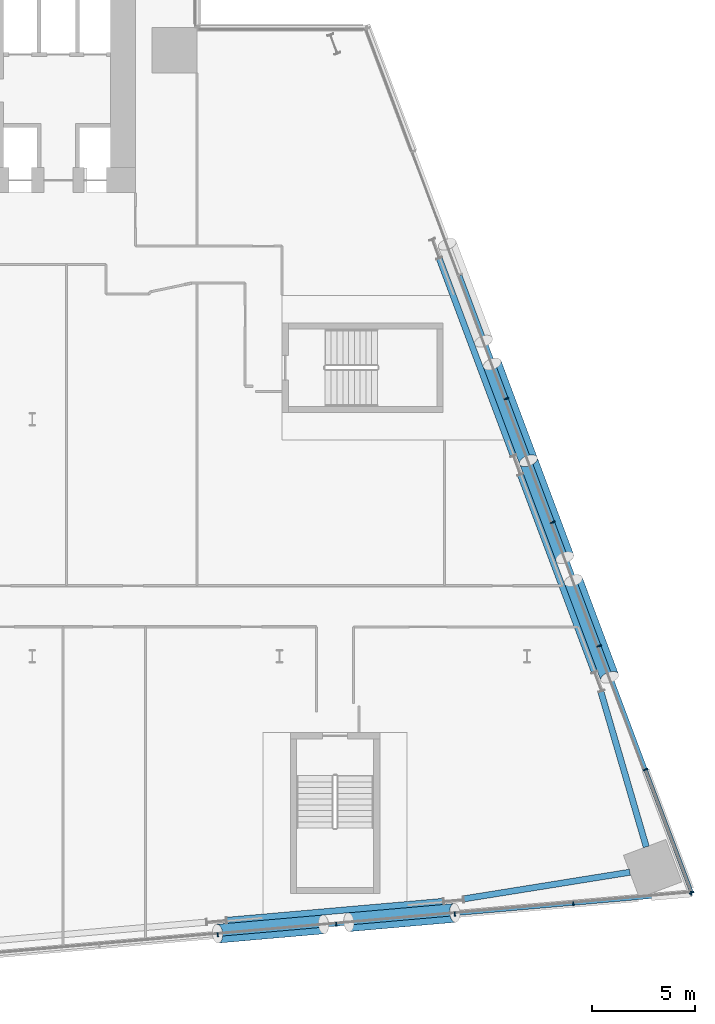
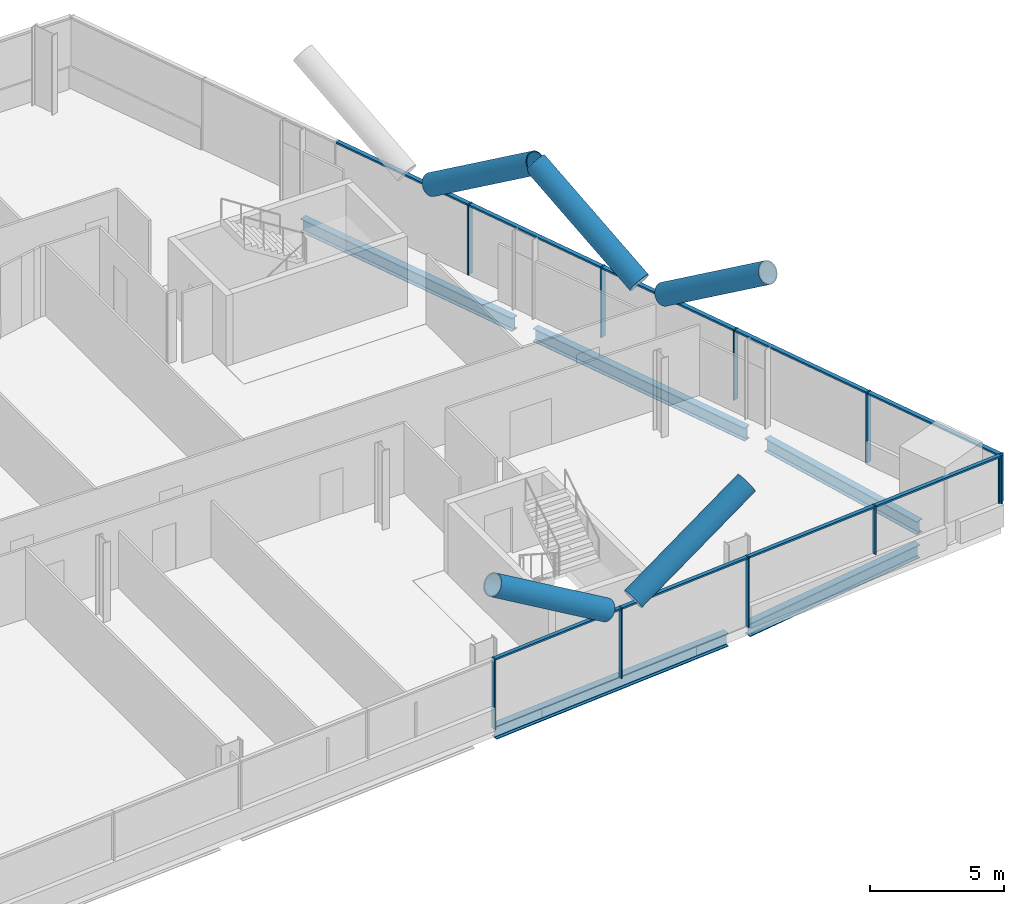
# One storey, part 9 of 27: 24 members, 5 beams, 2 elements without a shape of their own.
"""IFC4 building model written with IfcOpenShell, lengths in metres."""

from ifc_helpers import new_model, si_unit, direction, frame, origin, origin_2d, place, context, subcontext, project, spatial, rectangle, hollow_circle, i_section, extrude, material, material_profile, profile_set, type_object, element, aggregate, save


model = new_model("IFC4")

# Units and contexts
model_context = context("Model", 3, precision=1e-05, world=origin(), true_north=direction((0.0, 1.0)))
body_context = subcontext(model_context, "Body", "Model", "MODEL_VIEW")
ifc_project = project(units=[si_unit("LENGTHUNIT", "METRE"), si_unit("AREAUNIT", "SQUARE_METRE"), si_unit("VOLUMEUNIT", "CUBIC_METRE"), si_unit("PLANEANGLEUNIT", "RADIAN"), si_unit("MASSUNIT", "GRAM", prefix="KILO")], contexts=[model_context])

# Site, building, storey
site_placement = place(None, origin())
site = spatial("IfcSite", under=ifc_project, at=site_placement, CompositionType="ELEMENT")
building_placement = place(site_placement, origin())
building = spatial("IfcBuilding", under=site, at=building_placement, Name="Wharfspan Tower", CompositionType="ELEMENT")
storey_placement = place(building_placement, frame((0.0, 0.0, 84.699951)))
storey = spatial("IfcBuildingStorey", under=building, at=storey_placement, Name="L18", CompositionType="ELEMENT", Elevation=84.699951)

# Beams
ifc_material_1 = material(Name="Steel S355J2", Category="steel")
ifc_material_profile_1 = material_profile(ifc_material_1, i_section(OverallWidth=0.300049, OverallDepth=0.600098, WebThickness=0.015381, FlangeThickness=0.030029, FilletRadius=0.0271, at=origin_2d()))
ifc_profile_set_1 = profile_set([ifc_material_profile_1], Name="Steel S355J2")
beam_type = type_object("IfcBeamType", Name="Edge beam HEB 600", PredefinedType="SPANDREL", material=ifc_profile_set_1)
beam_1_placement = place(storey_placement, frame((69.440674, -1.311279, -0.699951), z_axis=(0.996193, 0.087178, 0.0), x_axis=(-0.087178, 0.996193, 0.0)))
element("IfcBeam", 1, at=beam_1_placement, inside=storey, type_object=beam_type, Name="Edge beam S2 L18 PS2.2 to PS2.3", PredefinedType="SPANDREL", context=body_context, shape_type="SweptSolid", body=[
    extrude(i_section(OverallWidth=0.300049, OverallDepth=0.600098, WebThickness=0.015381, FlangeThickness=0.030029, FilletRadius=0.0271, at=origin_2d()), origin(), (0.0, 0.0, 1.0), 10.543701),
])
beam_2_placement = place(storey_placement, frame((80.9375, -0.269287, -0.699951), z_axis=(0.987379, 0.158378, 0.0), x_axis=(-0.158378, 0.987379, 0.0)))
element("IfcBeam", 2, at=beam_2_placement, inside=storey, type_object=beam_type, Name="Edge beam S2 L18 PS2.3 to MC4", PredefinedType="SPANDREL", context=body_context, shape_type="SweptSolid", body=[
    extrude(i_section(OverallWidth=0.300049, OverallDepth=0.600098, WebThickness=0.015381, FlangeThickness=0.030029, FilletRadius=0.0271, at=origin_2d()), origin(), (0.0, 0.0, 1.0), 8.157715),
])
beam_3_placement = place(storey_placement, frame((89.788086, 2.254639, -0.699951), z_axis=(-0.280694, 0.959797, 0.0), x_axis=(-0.959797, -0.280694, 0.0)))
element("IfcBeam", 3, at=beam_3_placement, inside=storey, type_object=beam_type, Name="Edge beam E L18 MC4 to PE.1", PredefinedType="SPANDREL", context=body_context, shape_type="SweptSolid", body=[
    extrude(i_section(OverallWidth=0.300049, OverallDepth=0.600098, WebThickness=0.015381, FlangeThickness=0.030029, FilletRadius=0.0271, at=origin_2d()), origin(), (0.0, 0.0, 1.0), 7.8479),
])
for number, where, z_axis, x_axis, name in (
    (4, (87.269043, 10.736328, -0.699951), (-0.351126, 0.936328, 0.0), (-0.936328, -0.351126, 0.0), "Edge beam E L18 PE.1 to PE.2"),
    (5, (83.331543, 21.236328, -0.699951), (-0.351126, 0.936328, 0.0), (-0.936328, -0.351126, 0.0), "Edge beam E L18 PE.2 to PE.3"),
):
    element("IfcBeam", number, at=place(storey_placement, frame(where, z_axis=z_axis, x_axis=x_axis)), inside=storey, type_object=beam_type, Name=name, PredefinedType="SPANDREL", context=body_context, shape_type="SweptSolid", body=[
        extrude(i_section(OverallWidth=0.300049, OverallDepth=0.600098, WebThickness=0.015381, FlangeThickness=0.030029, FilletRadius=0.0271, at=origin_2d()), origin(), (0.0, 0.0, 1.0), 10.214111),
    ])

# Curtain wall, members
ifc_material_2 = material(Name="Aluminium 6063-T6", Category="aluminium")
curtain_wall_type_1 = type_object("IfcCurtainWallType", Name="CURTAIN WALL FACETED FRONT", PredefinedType="NOTDEFINED", material=ifc_material_2)
curtain_wall_1_placement = place(storey_placement, origin())
curtain_wall_1 = element("IfcCurtainWall", 6, at=curtain_wall_1_placement, inside=storey, type_object=curtain_wall_type_1, Name="Curtain wall S2", PredefinedType="NOTDEFINED")
ifc_material_profile_2 = material_profile(ifc_material_2, rectangle(XDim=0.199951, YDim=0.060059, at=origin_2d()))
ifc_profile_set_2 = profile_set([ifc_material_profile_2], Name="Aluminium 6063-T6")
member_type_1 = type_object("IfcMemberType", Name="MULLION FACETED FRONT 60x200", PredefinedType="MULLION", material=ifc_profile_set_2)
member_1_placement = place(storey_placement, frame((69.0, -2.012207, 0.0), z_axis=(0.0, 0.0, 1.0), x_axis=(-0.087156, 0.996197, 0.0)))
member_1 = element("IfcMember", 7, at=member_1_placement, type_object=member_type_1, Name="Curtain wall S2 mullion 5", PredefinedType="MULLION", context=body_context, shape_type="SweptSolid", body=[
    extrude(rectangle(XDim=0.199951, YDim=0.060059, at=origin_2d()), origin(), (0.0, 0.0, 1.0), 3.199951),
])
member_2_placement = place(storey_placement, frame((74.75, -1.509277, 0.0), z_axis=(0.0, 0.0, 1.0), x_axis=(-0.087156, 0.996197, 0.0)))
member_2 = element("IfcMember", 8, at=member_2_placement, type_object=member_type_1, Name="Curtain wall S2 mullion 6", PredefinedType="MULLION", context=body_context, shape_type="SweptSolid", body=[
    extrude(rectangle(XDim=0.199951, YDim=0.060059, at=origin_2d()), origin(), (0.0, 0.0, 1.0), 3.199951),
])
member_3_placement = place(storey_placement, frame((80.5, -1.006104, 0.0), z_axis=(0.0, 0.0, 1.0), x_axis=(-0.087156, 0.996197, 0.0)))
member_3 = element("IfcMember", 9, at=member_3_placement, type_object=member_type_1, Name="Curtain wall S2 mullion 7", PredefinedType="MULLION", context=body_context, shape_type="SweptSolid", body=[
    extrude(rectangle(XDim=0.199951, YDim=0.060059, at=origin_2d()), origin(), (0.0, 0.0, 1.0), 3.199951),
])
member_4_placement = place(storey_placement, frame((86.25, -0.503174, 1.0), z_axis=(0.0, 0.0, 1.0), x_axis=(-0.087156, 0.996197, 0.0)))
member_4 = element("IfcMember", 10, at=member_4_placement, type_object=member_type_1, Name="Curtain wall S2 mullion 8", PredefinedType="MULLION", context=body_context, shape_type="SweptSolid", body=[
    extrude(rectangle(XDim=0.199951, YDim=0.060059, at=origin_2d()), origin(), (0.0, 0.0, 1.0), 2.199951),
])
member_5_placement = place(storey_placement, frame((91.970215, -0.002686, 1.0), z_axis=(0.0, 0.0, 1.0), x_axis=(-0.087156, 0.996197, 0.0)))
member_5 = element("IfcMember", 11, at=member_5_placement, type_object=member_type_1, Name="Curtain wall S2 mullion 9", PredefinedType="MULLION", context=body_context, shape_type="SweptSolid", body=[
    extrude(rectangle(XDim=0.199951, YDim=0.060059, at=origin_2d()), origin(), (0.0, 0.0, 1.0), 2.199951),
])

curtain_wall_type_2 = type_object("IfcCurtainWallType", Name="CURTAIN WALL PROW AND END", PredefinedType="NOTDEFINED", material=ifc_material_2)
curtain_wall_2_placement = place(storey_placement, origin())
curtain_wall_2 = element("IfcCurtainWall", 12, at=curtain_wall_2_placement, inside=storey, type_object=curtain_wall_type_2, Name="Curtain wall E", PredefinedType="NOTDEFINED")
ifc_material_profile_3 = material_profile(ifc_material_2, rectangle(XDim=0.23999, YDim=0.060059, at=origin_2d()))
ifc_profile_set_3 = profile_set([ifc_material_profile_3], Name="Aluminium 6063-T6")
member_type_2 = type_object("IfcMemberType", Name="MULLION PROW AND END 60x240", PredefinedType="MULLION", material=ifc_profile_set_3)
member_6_placement = place(storey_placement, frame((91.989502, 0.028076, 1.0), z_axis=(0.0, 0.0, 1.0), x_axis=(-0.936328, -0.351123, 0.0)))
member_6 = element("IfcMember", 13, at=member_6_placement, type_object=member_type_2, Name="Curtain wall E mullion 1", PredefinedType="MULLION", context=body_context, shape_type="SweptSolid", body=[
    extrude(rectangle(XDim=0.23999, YDim=0.060059, at=origin_2d()), origin(), (0.0, 0.0, 1.0), 2.199951),
])
member_7_placement = place(storey_placement, frame((89.75, 6.0, 0.0), z_axis=(0.0, 0.0, 1.0), x_axis=(-0.936328, -0.351123, 0.0)))
member_7 = element("IfcMember", 14, at=member_7_placement, type_object=member_type_2, Name="Curtain wall E mullion 2", PredefinedType="MULLION", context=body_context, shape_type="SweptSolid", body=[
    extrude(rectangle(XDim=0.23999, YDim=0.060059, at=origin_2d()), origin(), (0.0, 0.0, 1.0), 3.199951),
])
member_8_placement = place(storey_placement, frame((87.5, 12.0, 0.0), z_axis=(0.0, 0.0, 1.0), x_axis=(-0.936328, -0.351123, 0.0)))
member_8 = element("IfcMember", 15, at=member_8_placement, type_object=member_type_2, Name="Curtain wall E mullion 3", PredefinedType="MULLION", context=body_context, shape_type="SweptSolid", body=[
    extrude(rectangle(XDim=0.23999, YDim=0.060059, at=origin_2d()), origin(), (0.0, 0.0, 1.0), 3.199951),
])
member_9_placement = place(storey_placement, frame((85.25, 18.0, 0.0), z_axis=(0.0, 0.0, 1.0), x_axis=(-0.936328, -0.351123, 0.0)))
member_9 = element("IfcMember", 16, at=member_9_placement, type_object=member_type_2, Name="Curtain wall E mullion 4", PredefinedType="MULLION", context=body_context, shape_type="SweptSolid", body=[
    extrude(rectangle(XDim=0.23999, YDim=0.060059, at=origin_2d()), origin(), (0.0, 0.0, 1.0), 3.199951),
])
member_10_placement = place(storey_placement, frame((83.0, 24.0, 0.0), z_axis=(0.0, 0.0, 1.0), x_axis=(-0.936328, -0.351123, 0.0)))
member_10 = element("IfcMember", 17, at=member_10_placement, type_object=member_type_2, Name="Curtain wall E mullion 5", PredefinedType="MULLION", context=body_context, shape_type="SweptSolid", body=[
    extrude(rectangle(XDim=0.23999, YDim=0.060059, at=origin_2d()), origin(), (0.0, 0.0, 1.0), 3.199951),
])

# Members
ifc_material_3 = material(Name="Steel S460NH", Category="steel")
ifc_material_profile_4 = material_profile(ifc_material_3, hollow_circle(Radius=0.457031, WallThickness=0.040039, at=origin_2d()))
ifc_profile_set_4 = profile_set([ifc_material_profile_4], Name="Steel S460NH")
member_type_3 = type_object("IfcMemberType", Name="Mega brace CHS 914x40", PredefinedType="BRACE", material=ifc_profile_set_4)
member_11_placement = place(storey_placement, frame((75.361328, -1.400391, 3.285889), z_axis=(0.845271, 0.073923, 0.529199), x_axis=(-0.087123, 0.996199, 1e-06)))
element("IfcMember", 18, at=member_11_placement, inside=storey, type_object=member_type_3, Name="Mega brace S2 L18 part 2", PredefinedType="BRACE", context=body_context, shape_type="SweptSolid", body=[
    extrude(hollow_circle(Radius=0.457031, WallThickness=0.040039, at=origin_2d()), origin(), (0.0, 0.0, 1.0), 6.073486),
])
member_12_placement = place(storey_placement, frame((74.12915, -1.508301, 3.285889), z_axis=(-0.84528, -0.073961, 0.52918), x_axis=(0.087165, -0.996192, -1e-06)))
element("IfcMember", 19, at=member_12_placement, inside=storey, type_object=member_type_3, Name="Mega brace S2 L18 part 4", PredefinedType="BRACE", context=body_context, shape_type="SweptSolid", body=[
    extrude(hollow_circle(Radius=0.457031, WallThickness=0.040039, at=origin_2d()), origin(), (0.0, 0.0, 1.0), 6.07373),
])
for number, where, z_axis, x_axis, name in (
    (20, (85.833008, 16.288574, 3.282715), (-0.295466, 0.787922, 0.540259), (-0.936329, -0.351115, -4e-06), "Mega brace E5 L18 part 2"),
    (21, (86.251465, 15.172852, 3.282715), (0.295466, -0.787922, 0.540259), (0.936329, 0.351115, -4e-06), "Mega brace E5 L18 part 4"),
    (22, (82.313965, 25.672852, 3.282715), (0.295466, -0.787922, 0.540259), (0.936329, 0.351115, -4e-06), "Mega brace E6 L18 part 4"),
):
    element("IfcMember", number, at=place(storey_placement, frame(where, z_axis=z_axis, x_axis=x_axis)), inside=storey, type_object=member_type_3, Name=name, PredefinedType="BRACE", context=body_context, shape_type="SweptSolid", body=[
        extrude(hollow_circle(Radius=0.457031, WallThickness=0.040039, at=origin_2d()), origin(), (0.0, 0.0, 1.0), 5.955078),
    ])

# Member
ifc_material_profile_5 = material_profile(ifc_material_2, rectangle(XDim=0.159912, YDim=0.080078, at=origin_2d()))
ifc_profile_set_5 = profile_set([ifc_material_profile_5], Name="Aluminium 6063-T6")
member_type_4 = type_object("IfcMemberType", Name="TRANSOM FACETED FRONT 80x160", PredefinedType="USERDEFINED", material=ifc_profile_set_5)
member_13_placement = place(storey_placement, frame((69.029785, -2.009521, 3.160156), z_axis=(0.996195, 0.087148, 0.0), x_axis=(-0.087148, 0.996195, 0.0)))
member_13 = element("IfcMember", 23, at=member_13_placement, type_object=member_type_4, Name="Curtain wall S2 transom 5", ObjectType="TRANSOM", PredefinedType="USERDEFINED", context=body_context, shape_type="SweptSolid", body=[
    extrude(rectangle(XDim=0.159912, YDim=0.080078, at=origin_2d()), origin(), (0.0, 0.0, 1.0), 5.712158),
])

member_14_placement = place(storey_placement, frame((74.779785, -1.506592, 3.160156), z_axis=(0.996195, 0.087148, 0.0), x_axis=(-0.087148, 0.996195, 0.0)))
member_14 = element("IfcMember", 24, at=member_14_placement, type_object=member_type_4, Name="Curtain wall S2 transom 6", ObjectType="TRANSOM", PredefinedType="USERDEFINED", context=body_context, shape_type="SweptSolid", body=[
    extrude(rectangle(XDim=0.159912, YDim=0.080078, at=origin_2d()), origin(), (0.0, 0.0, 1.0), 5.712158),
])

member_15_placement = place(storey_placement, frame((80.529785, -1.003418, 3.160156), z_axis=(0.996195, 0.087148, 0.0), x_axis=(-0.087148, 0.996195, 0.0)))
member_15 = element("IfcMember", 25, at=member_15_placement, type_object=member_type_4, Name="Curtain wall S2 transom 7", ObjectType="TRANSOM", PredefinedType="USERDEFINED", context=body_context, shape_type="SweptSolid", body=[
    extrude(rectangle(XDim=0.159912, YDim=0.080078, at=origin_2d()), origin(), (0.0, 0.0, 1.0), 5.712158),
])

member_16_placement = place(storey_placement, frame((86.279785, -0.500488, 3.160156), z_axis=(0.996193, 0.08718, 0.0), x_axis=(-0.08718, 0.996193, 0.0)))
member_16 = element("IfcMember", 26, at=member_16_placement, type_object=member_type_4, Name="Curtain wall S2 transom 8", ObjectType="TRANSOM", PredefinedType="USERDEFINED", context=body_context, shape_type="SweptSolid", body=[
    extrude(rectangle(XDim=0.159912, YDim=0.080078, at=origin_2d()), origin(), (0.0, 0.0, 1.0), 5.682129),
])

aggregate(curtain_wall_1, [member_1, member_2, member_3, member_4, member_5, member_13, member_14, member_15, member_16])

ifc_material_profile_6 = material_profile(ifc_material_2, rectangle(XDim=0.179932, YDim=0.080078, at=origin_2d()))
ifc_profile_set_6 = profile_set([ifc_material_profile_6], Name="Aluminium 6063-T6")
member_type_5 = type_object("IfcMemberType", Name="TRANSOM PROW AND END 80x180", PredefinedType="USERDEFINED", material=ifc_profile_set_6)
member_17_placement = place(storey_placement, frame((91.979004, 0.056152, 3.160156), z_axis=(-0.351136, 0.936324, 0.0), x_axis=(-0.936324, -0.351136, 0.0)))
member_17 = element("IfcMember", 27, at=member_17_placement, type_object=member_type_5, Name="Curtain wall E transom 1", ObjectType="TRANSOM", PredefinedType="USERDEFINED", context=body_context, shape_type="SweptSolid", body=[
    extrude(rectangle(XDim=0.179932, YDim=0.080078, at=origin_2d()), origin(), (0.0, 0.0, 1.0), 6.318115),
])

member_18_placement = place(storey_placement, frame((89.739502, 6.028076, 3.160156), z_axis=(-0.351132, 0.936326, 0.0), x_axis=(-0.936326, -0.351132, 0.0)))
member_18 = element("IfcMember", 28, at=member_18_placement, type_object=member_type_5, Name="Curtain wall E transom 2", ObjectType="TRANSOM", PredefinedType="USERDEFINED", context=body_context, shape_type="SweptSolid", body=[
    extrude(rectangle(XDim=0.179932, YDim=0.080078, at=origin_2d()), origin(), (0.0, 0.0, 1.0), 6.348145),
])

member_19_placement = place(storey_placement, frame((87.489502, 12.028076, 3.160156), z_axis=(-0.351132, 0.936326, 0.0), x_axis=(-0.936326, -0.351132, 0.0)))
member_19 = element("IfcMember", 29, at=member_19_placement, type_object=member_type_5, Name="Curtain wall E transom 3", ObjectType="TRANSOM", PredefinedType="USERDEFINED", context=body_context, shape_type="SweptSolid", body=[
    extrude(rectangle(XDim=0.179932, YDim=0.080078, at=origin_2d()), origin(), (0.0, 0.0, 1.0), 6.348145),
])

member_20_placement = place(storey_placement, frame((85.239502, 18.028076, 3.160156), z_axis=(-0.351132, 0.936326, 0.0), x_axis=(-0.936326, -0.351132, 0.0)))
member_20 = element("IfcMember", 30, at=member_20_placement, type_object=member_type_5, Name="Curtain wall E transom 4", ObjectType="TRANSOM", PredefinedType="USERDEFINED", context=body_context, shape_type="SweptSolid", body=[
    extrude(rectangle(XDim=0.179932, YDim=0.080078, at=origin_2d()), origin(), (0.0, 0.0, 1.0), 6.348145),
])

member_21_placement = place(storey_placement, frame((82.989502, 24.028076, 3.160156), z_axis=(-0.351132, 0.936326, 0.0), x_axis=(-0.936326, -0.351132, 0.0)))
member_21 = element("IfcMember", 31, at=member_21_placement, type_object=member_type_5, Name="Curtain wall E transom 5", ObjectType="TRANSOM", PredefinedType="USERDEFINED", context=body_context, shape_type="SweptSolid", body=[
    extrude(rectangle(XDim=0.179932, YDim=0.080078, at=origin_2d()), origin(), (0.0, 0.0, 1.0), 6.348145),
])

aggregate(curtain_wall_2, [member_6, member_7, member_8, member_9, member_10, member_17, member_18, member_19, member_20, member_21])

save(model, "model.ifc")
